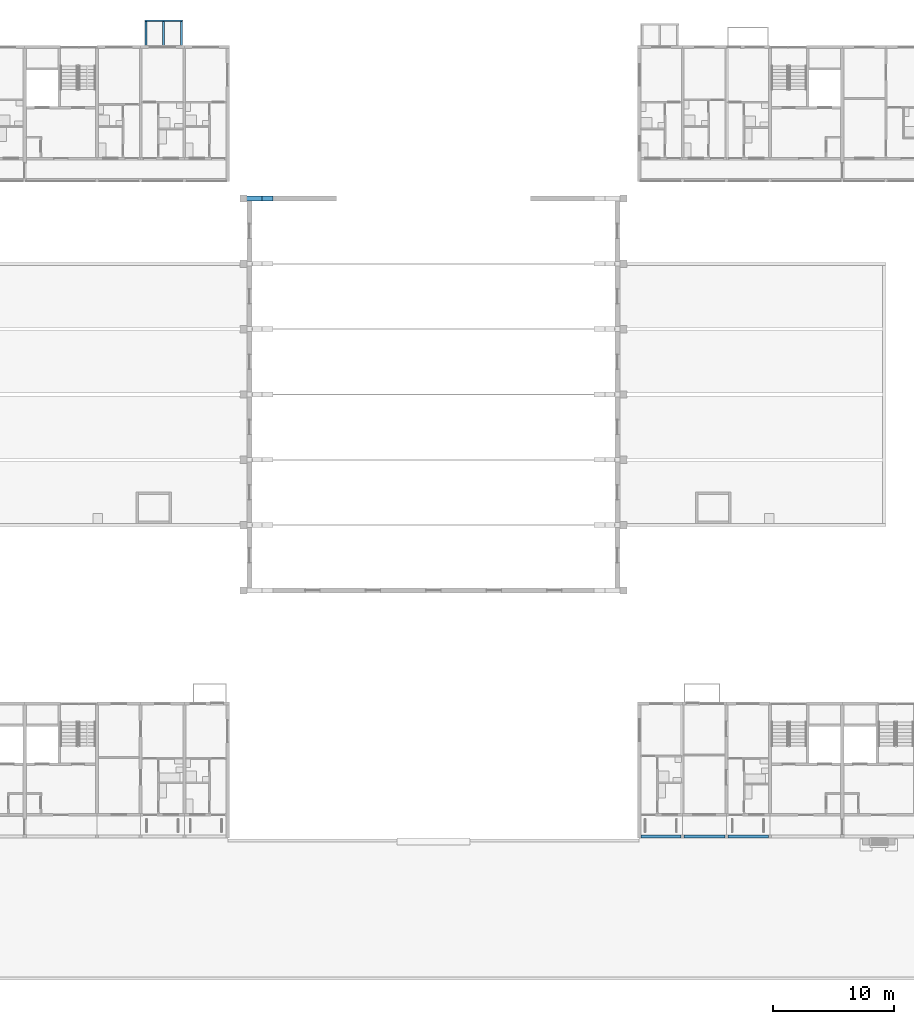
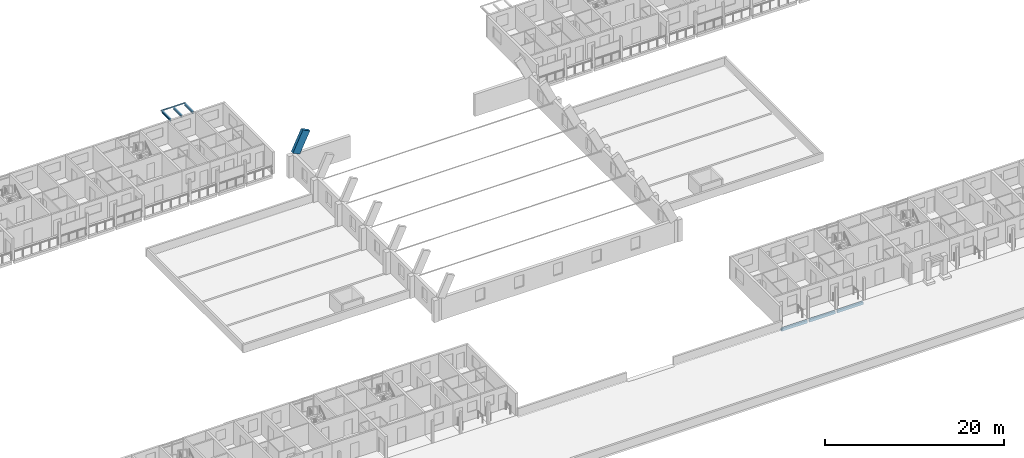
# One storey, part 19 of 115: 8 beams.
"""IFC4 building model written with IfcOpenShell, lengths in metres."""

import ifcopenshell
import ifcopenshell.guid

model = None  # the IFC model being written
_history = None  # IfcOwnerHistory: only IFC2X3 demands one
_inside = {}  # id of a spatial element -> (the spatial element, [elements in it])
_under = {}  # id of a project, library or spatial element -> (it, [spatial elements below it])
_declared = {}  # id of a project -> (the project, [libraries it declares])
_typed = {}  # id of a type object -> (the type object, [elements of that type])
_made_of = {}  # id of a material, layer set ... -> (it, [elements and type objects made of it])


def new_model(schema):
    """Start an empty IFC model of exactly this schema.

    Asked for "IFC4X3", IfcOpenShell would pick the latest addendum, in which some entities
    have other attributes; the version numbers below select the first issue.
    IFC2X3 requires an IfcOwnerHistory on every rooted entity: one is made here for all.
    """
    global model, _history
    if schema == "IFC4X3":
        model = ifcopenshell.file(schema_version=(4, 3, 0, 0))
    else:
        model = ifcopenshell.file(schema=schema)
    _inside.clear()
    _under.clear()
    _declared.clear()
    _typed.clear()
    _made_of.clear()
    _history = None
    if model.schema == "IFC2X3":
        org = make("IfcOrganization", Name="unknown")
        user = make(
            "IfcPersonAndOrganization",
            ThePerson=make("IfcPerson", FamilyName="unknown"),
            TheOrganization=org,
        )
        app = make(
            "IfcApplication",
            ApplicationDeveloper=org,
            Version="unknown",
            ApplicationFullName="unknown",
            ApplicationIdentifier="unknown",
        )
        _history = make(
            "IfcOwnerHistory",
            OwningUser=user,
            OwningApplication=app,
            ChangeAction="ADDED",
            CreationDate=0,
        )
    return model


def make(cls, **values):
    """One entity of the class cls with the attributes given. An attribute that is None is left unset."""
    return model.create_entity(
        cls, **{name: value for name, value in values.items() if value is not None}
    )


def rooted(cls, **values):
    """An entity with a GlobalId (a new one), such as an element, a storey or a relation."""
    return make(cls, GlobalId=ifcopenshell.guid.new(), OwnerHistory=_history, **values)


def si_unit(unit_type, name, prefix=None):
    """IfcSIUnit, for example si_unit("LENGTHUNIT", "METRE", prefix="MILLI")."""
    return make("IfcSIUnit", UnitType=unit_type, Prefix=prefix, Name=name)


def assignment(units):
    """IfcUnitAssignment: the units of a project."""
    return None if units is None else make("IfcUnitAssignment", Units=units)


def point(xyz):
    """IfcCartesianPoint."""
    return None if xyz is None else make("IfcCartesianPoint", Coordinates=xyz)


def direction(xyz):
    """IfcDirection."""
    return None if xyz is None else make("IfcDirection", DirectionRatios=xyz)


def frame(location, z_axis=None, x_axis=None):
    """IfcAxis2Placement3D, a coordinate frame: its origin and axes. An axis left out is left unset."""
    return make(
        "IfcAxis2Placement3D",
        Location=point(location),
        Axis=direction(z_axis),
        RefDirection=direction(x_axis),
    )


def frame_2d(location, x_axis=None):
    """IfcAxis2Placement2D, a coordinate frame in the plane: its origin and x axis."""
    return make(
        "IfcAxis2Placement2D", Location=point(location), RefDirection=direction(x_axis)
    )


def origin():
    """The frame at (0, 0, 0) with its axes left unset."""
    return frame((0.0, 0.0, 0.0))


def origin_2d():
    """The frame at (0, 0) in the plane with its x axis left unset."""
    return frame_2d((0.0, 0.0))


def place(relative_to, where):
    """IfcLocalPlacement: puts the frame where relative to a parent placement (None: the world)."""
    return make(
        "IfcLocalPlacement", PlacementRelTo=relative_to, RelativePlacement=where
    )


def context(
    kind, dimensions, precision=None, world=None, true_north=None, identifier=None
):
    """IfcGeometricRepresentationContext, for example the 3D "Model" context."""
    return make(
        "IfcGeometricRepresentationContext",
        ContextIdentifier=identifier,
        ContextType=kind,
        CoordinateSpaceDimension=dimensions,
        Precision=precision,
        WorldCoordinateSystem=world,
        TrueNorth=true_north,
    )


def subcontext(parent, identifier, kind, view, scale=None):
    """IfcGeometricRepresentationSubContext, for example "Body" below "Model"."""
    return make(
        "IfcGeometricRepresentationSubContext",
        ContextIdentifier=identifier,
        ContextType=kind,
        ParentContext=parent,
        TargetScale=scale,
        TargetView=view,
    )


def project(units=None, contexts=None):
    """IfcProject with its units and contexts."""
    return rooted(
        "IfcProject",
        Name="project",
        RepresentationContexts=contexts,
        UnitsInContext=assignment(units),
    )


def spatial(cls, under=None, at=None, **own):
    """A site, building, storey or space (cls), placed at a placement, below another one or the project."""
    s = rooted(cls, ObjectPlacement=at, **own)
    if under is not None:
        _under.setdefault(under.id(), (under, []))[1].append(s)
    return s


def profile(cls, at=None, kind="AREA", **sizes):
    """A parametric profile (cls). Its sizes go by their IFC names, for example OverallWidth=200.0."""
    return make(cls, ProfileType=kind, Position=at, **sizes)


def rectangle(**sizes):
    """IfcRectangleProfileDef."""
    return profile("IfcRectangleProfileDef", **sizes)


def hollow_rectangle(**sizes):
    """IfcRectangleHollowProfileDef."""
    return profile("IfcRectangleHollowProfileDef", **sizes)


def i_section(**sizes):
    """IfcIShapeProfileDef."""
    return profile("IfcIShapeProfileDef", **sizes)


def extrude(swept, where, along, depth):
    """IfcExtrudedAreaSolid: the profile swept, set in the frame where, extruded along a direction by depth."""
    return make(
        "IfcExtrudedAreaSolid",
        SweptArea=swept,
        Position=where,
        ExtrudedDirection=direction(along),
        Depth=depth,
    )


def shape(context_of_items, identifier, shape_type, items):
    """IfcShapeRepresentation: the items that make up one representation, for example the "Body"."""
    return make(
        "IfcShapeRepresentation",
        ContextOfItems=context_of_items,
        RepresentationIdentifier=identifier,
        RepresentationType=shape_type,
        Items=items,
    )


def material(Name=None, Category=None):
    """IfcMaterial."""
    return make("IfcMaterial", Name=Name, Category=Category)


def material_profile(
    of_material, cross_section, Name=None, Category=None, Priority=None
):
    """IfcMaterialProfile: a cross section and its material."""
    return make(
        "IfcMaterialProfile",
        Name=Name,
        Material=of_material,
        Profile=cross_section,
        Priority=Priority,
        Category=Category,
    )


def profile_set(profiles, Name=None, composite=None):
    """IfcMaterialProfileSet."""
    return make(
        "IfcMaterialProfileSet",
        Name=Name,
        MaterialProfiles=profiles,
        CompositeProfile=composite,
    )


def made_of(thing, what):
    """Note that an element or type object is made of a material, layer set ...; save() writes the relation."""
    if what is not None:
        _made_of.setdefault(what.id(), (what, []))[1].append(thing)
    return thing


def type_object(cls, material=None, **own):
    """A type object (cls), such as IfcWallType, which elements share."""
    return made_of(rooted(cls, **own), material)


def element(
    cls,
    number,
    at=None,
    inside=None,
    cuts=None,
    type_object=None,
    material=None,
    context=None,
    identifier="Body",
    shape_type=None,
    held_by="IfcProductDefinitionShape",
    body=None,
    shapes=None,
    **own,
):
    """One element of the class cls, such as IfcWall. Its Tag is "e" and its number.

    at: its placement. inside: the storey or other place that contains it. cuts: it is an
    opening in that element (IfcRelVoidsElement). A single representation is given by context,
    identifier, shape_type and body (its items); several are given by shapes. held_by: the class
    of the entity that holds the representations. save() writes the other relations.
    """
    e = rooted(cls, Tag="e%d" % number, ObjectPlacement=at, **own)
    if body is not None:
        shapes = [shape(context, identifier, shape_type, body)]
    if shapes is not None:
        e.Representation = make(held_by, Representations=shapes)
    if inside is not None:
        _inside.setdefault(inside.id(), (inside, []))[1].append(e)
    if cuts is not None:
        rooted(
            "IfcRelVoidsElement", RelatingBuildingElement=cuts, RelatedOpeningElement=e
        )
    if type_object is not None:
        _typed.setdefault(type_object.id(), (type_object, []))[1].append(e)
    return made_of(e, material)


def aggregate(whole, parts):
    """IfcRelAggregates: a whole, such as a stair, and the parts it consists of."""
    return rooted("IfcRelAggregates", RelatingObject=whole, RelatedObjects=parts)


def save(model, path):
    """Write the relations noted so far, then the file.

    IfcRelAggregates (storeys below a building ...), IfcRelContainedInSpatialStructure (elements
    in a storey), IfcRelDefinesByType, IfcRelAssociatesMaterial and IfcRelDeclares: one each for
    every whole, place, type object, material and project.
    """
    for whole, parts in _under.values():
        aggregate(whole, parts)
    for where, things in _inside.values():
        rooted(
            "IfcRelContainedInSpatialStructure",
            RelatedElements=things,
            RelatingStructure=where,
        )
    for kind, things in _typed.values():
        rooted("IfcRelDefinesByType", RelatedObjects=things, RelatingType=kind)
    for what, things in _made_of.values():
        rooted("IfcRelAssociatesMaterial", RelatedObjects=things, RelatingMaterial=what)
    for by, libraries in _declared.values():
        rooted("IfcRelDeclares", RelatingContext=by, RelatedDefinitions=libraries)
    model.write(path)


model = new_model("IFC4")

# Units and contexts
model_context = context("Model", 3, precision=1e-05, world=origin(), true_north=direction((0.0, 1.0)))
body_context = subcontext(model_context, "Body", "Model", "MODEL_VIEW")
ifc_project = project(units=[si_unit("LENGTHUNIT", "METRE"), si_unit("AREAUNIT", "SQUARE_METRE"), si_unit("VOLUMEUNIT", "CUBIC_METRE"), si_unit("PLANEANGLEUNIT", "RADIAN"), si_unit("MASSUNIT", "GRAM", prefix="KILO")], contexts=[model_context])

# Site, building, storey
site_placement = place(None, origin())
site = spatial("IfcSite", under=ifc_project, at=site_placement, CompositionType="ELEMENT")
building_placement = place(site_placement, origin())
building = spatial("IfcBuilding", under=site, at=building_placement, Name="Ridgestep Commons", CompositionType="ELEMENT")
storey_placement = place(building_placement, frame((0.0, 0.0, 6.0)))
storey = spatial("IfcBuildingStorey", under=building, at=storey_placement, Name="L02", CompositionType="ELEMENT", Elevation=6.0)

# Beams
ifc_material_1 = material(Name="Precast concrete C50/60", Category="concrete")
ifc_material_profile_1 = material_profile(ifc_material_1, rectangle(XDim=0.39990234375, YDim=1.0, at=origin_2d()), Name="Hall vault rib 400 x 1000")
ifc_profile_set_1 = profile_set([ifc_material_profile_1], Name="Precast concrete C50/60")
beam_type_1 = type_object("IfcBeamType", Name="Hall vault rib 400 x 1000", PredefinedType="BEAM", material=ifc_profile_set_1)
beam_1_placement = place(storey_placement, frame((114.800048828125, 64.60009765625, 3.0), z_axis=(0.429357705231, 0.0, 0.903134519858), x_axis=(0.0, 1.0, 0.0)))
element("IfcBeam", 1, at=beam_1_placement, inside=storey, type_object=beam_type_1, Name="Hall vault rib R7", PredefinedType="BEAM", context=body_context, shape_type="SweptSolid", body=[
    extrude(rectangle(XDim=0.39990234375, YDim=1.0, at=origin_2d()), origin(), (0.0, 0.0, 1.0), 3.011962890625),
])
ifc_material_2 = material(Name="Precast concrete C40/50", Category="concrete")
ifc_material_profile_2 = material_profile(ifc_material_2, rectangle(XDim=0.25, YDim=0.35009765625, at=origin_2d()), Name="PC 250x350")
ifc_profile_set_2 = profile_set([ifc_material_profile_2], Name="Precast concrete C40/50")
beam_type_2 = type_object("IfcBeamType", Name="Loggia edge beam 250 x 350", PredefinedType="SPANDREL", material=ifc_profile_set_2)
beam_2_placement = place(storey_placement, frame((146.949951171875, 11.875, -0.375), z_axis=(1.0, 0.0, 0.0), x_axis=(0.0, 1.0, 0.0)))
element("IfcBeam", 2, at=beam_2_placement, inside=storey, type_object=beam_type_2, Name="Loggia edge beam D1T1 L02", PredefinedType="SPANDREL", context=body_context, shape_type="SweptSolid", body=[
    extrude(rectangle(XDim=0.25, YDim=0.35009765625, at=origin_2d()), origin(), (0.0, 0.0, 1.0), 3.324951171875),
])
for number, where, z_axis, x_axis, name in (
    (3, (150.52490234375, 11.875, -0.375), (1.0, 0.0, 0.0), (0.0, 1.0, 0.0), "Loggia edge beam D1T2 L02"),
    (4, (154.125, 11.875, -0.375), (1.0, 0.0, 0.0), (0.0, 1.0, 0.0), "Loggia edge beam D1T3 L02"),
):
    element("IfcBeam", number, at=place(storey_placement, frame(where, z_axis=z_axis, x_axis=x_axis)), inside=storey, type_object=beam_type_2, Name=name, PredefinedType="SPANDREL", context=body_context, shape_type="SweptSolid", body=[
        extrude(rectangle(XDim=0.25, YDim=0.35009765625, at=origin_2d()), origin(), (0.0, 0.0, 1.0), 3.35009765625),
    ])
ifc_material_3 = material(Name="Weathering steel S355J2W", Category="steel")
ifc_material_profile_3 = material_profile(ifc_material_3, i_section(OverallWidth=0.1650390625, OverallDepth=0.303466796875, WebThickness=0.006103515625, FlangeThickness=0.01025390625, FilletRadius=0.0087890625, at=origin_2d()), Name="UB 305x165x40")
ifc_profile_set_3 = profile_set([ifc_material_profile_3], Name="Weathering steel S355J2W")
beam_type_3 = type_object("IfcBeamType", Name="Tray arm UB 305x165x40", PredefinedType="BEAM", material=ifc_profile_set_3)
for number, where, z_axis, x_axis, name in (
    (5, (106.050048828125, 77.264892578125, 2.83837890625), (0.0, 1.0, 0.0), (-1.0, 0.0, 0.0), "Tray arm B6T2-03.1"),
    (6, (107.5, 77.264892578125, 2.83837890625), (0.0, 1.0, 0.0), (-1.0, 0.0, 0.0), "Tray arm B6T2-03.2"),
    (7, (108.949951171875, 77.264892578125, 2.83837890625), (0.0, 1.0, 0.0), (-1.0, 0.0, 0.0), "Tray arm B6T2-03.3"),
):
    element("IfcBeam", number, at=place(storey_placement, frame(where, z_axis=z_axis, x_axis=x_axis)), inside=storey, type_object=beam_type_3, Name=name, PredefinedType="BEAM", context=body_context, shape_type="SweptSolid", body=[
        extrude(i_section(OverallWidth=0.1650390625, OverallDepth=0.303466796875, WebThickness=0.006103515625, FlangeThickness=0.01025390625, FilletRadius=0.0087890625, at=origin_2d()), origin(), (0.0, 0.0, 1.0), 1.965087890625),
    ])
ifc_material_4 = material(Name="Weathering steel S355J2W", Category="steel")
ifc_material_profile_4 = material_profile(ifc_material_4, hollow_rectangle(XDim=0.1201171875, YDim=0.1201171875, WallThickness=0.00634765625, InnerFilletRadius=0.00634765625, OuterFilletRadius=0.009521484375, at=origin_2d()), Name="SHS 120x120x6.3")
ifc_profile_set_4 = profile_set([ifc_material_profile_4], Name="Weathering steel S355J2W")
beam_type_4 = type_object("IfcBeamType", Name="Tray edge member SHS 120x120x6.3", PredefinedType="BEAM", material=ifc_profile_set_4)
beam_3_placement = place(storey_placement, frame((105.929931640625, 79.2900390625, 2.929931640625), z_axis=(1.0, 0.0, 0.0), x_axis=(0.0, 0.0, 1.0)))
element("IfcBeam", 8, at=beam_3_placement, inside=storey, type_object=beam_type_4, Name="Tray edge member B6T2-03", PredefinedType="BEAM", context=body_context, shape_type="SweptSolid", body=[
    extrude(hollow_rectangle(XDim=0.1201171875, YDim=0.1201171875, WallThickness=0.00634765625, InnerFilletRadius=0.00634765625, OuterFilletRadius=0.009521484375, at=origin_2d()), origin(), (0.0, 0.0, 1.0), 3.14013671875),
])

save(model, "model.ifc")
